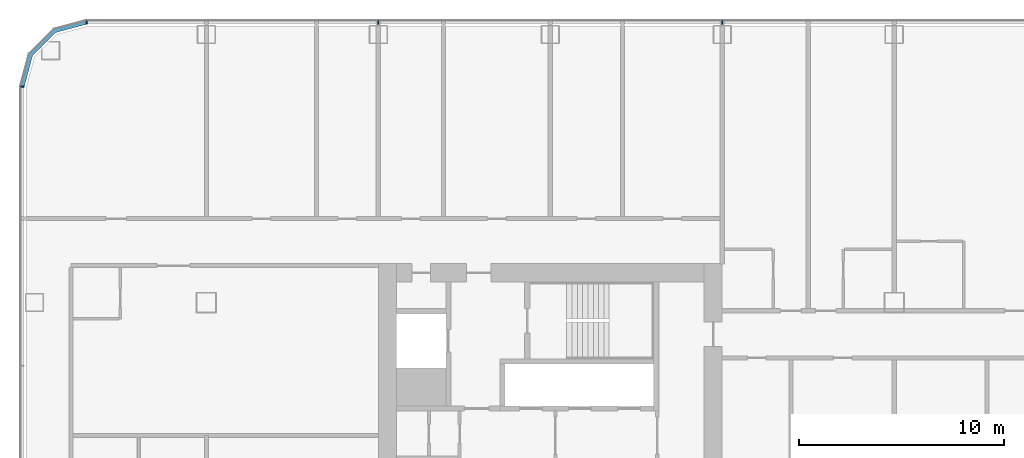
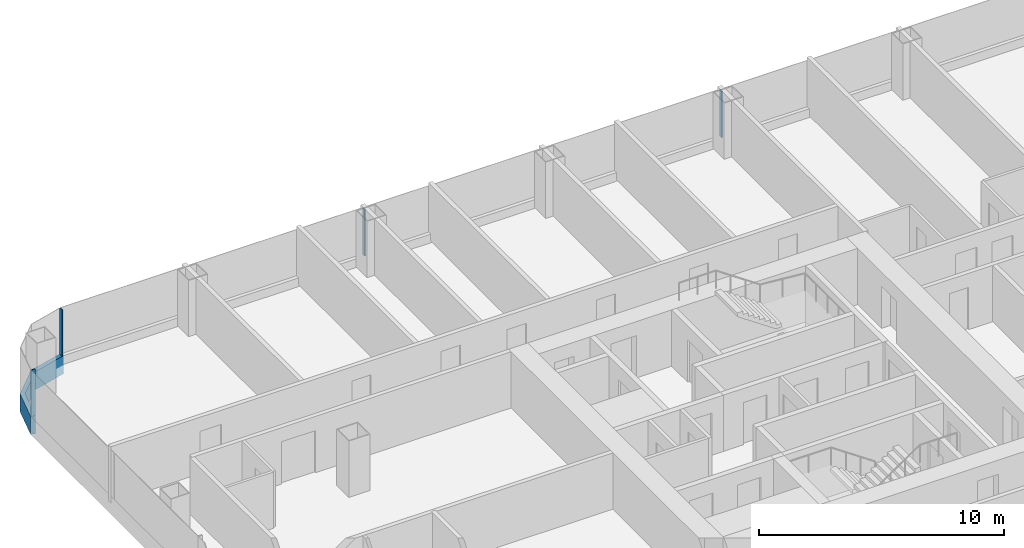
# One storey, part 6 of 29: 5 members, 3 elements without a shape of their own.
"""IFC4 building model written with IfcOpenShell, lengths in metres."""

import ifcopenshell
import ifcopenshell.guid

model = None  # the IFC model being written
_history = None  # IfcOwnerHistory: only IFC2X3 demands one
_inside = {}  # id of a spatial element -> (the spatial element, [elements in it])
_under = {}  # id of a project, library or spatial element -> (it, [spatial elements below it])
_declared = {}  # id of a project -> (the project, [libraries it declares])
_typed = {}  # id of a type object -> (the type object, [elements of that type])
_made_of = {}  # id of a material, layer set ... -> (it, [elements and type objects made of it])


def new_model(schema):
    """Start an empty IFC model of exactly this schema.

    Asked for "IFC4X3", IfcOpenShell would pick the latest addendum, in which some entities
    have other attributes; the version numbers below select the first issue.
    IFC2X3 requires an IfcOwnerHistory on every rooted entity: one is made here for all.
    """
    global model, _history
    if schema == "IFC4X3":
        model = ifcopenshell.file(schema_version=(4, 3, 0, 0))
    else:
        model = ifcopenshell.file(schema=schema)
    _inside.clear()
    _under.clear()
    _declared.clear()
    _typed.clear()
    _made_of.clear()
    _history = None
    if model.schema == "IFC2X3":
        org = make("IfcOrganization", Name="unknown")
        user = make(
            "IfcPersonAndOrganization",
            ThePerson=make("IfcPerson", FamilyName="unknown"),
            TheOrganization=org,
        )
        app = make(
            "IfcApplication",
            ApplicationDeveloper=org,
            Version="unknown",
            ApplicationFullName="unknown",
            ApplicationIdentifier="unknown",
        )
        _history = make(
            "IfcOwnerHistory",
            OwningUser=user,
            OwningApplication=app,
            ChangeAction="ADDED",
            CreationDate=0,
        )
    return model


def make(cls, **values):
    """One entity of the class cls with the attributes given. An attribute that is None is left unset."""
    return model.create_entity(
        cls, **{name: value for name, value in values.items() if value is not None}
    )


def rooted(cls, **values):
    """An entity with a GlobalId (a new one), such as an element, a storey or a relation."""
    return make(cls, GlobalId=ifcopenshell.guid.new(), OwnerHistory=_history, **values)


def si_unit(unit_type, name, prefix=None):
    """IfcSIUnit, for example si_unit("LENGTHUNIT", "METRE", prefix="MILLI")."""
    return make("IfcSIUnit", UnitType=unit_type, Prefix=prefix, Name=name)


def assignment(units):
    """IfcUnitAssignment: the units of a project."""
    return None if units is None else make("IfcUnitAssignment", Units=units)


def point(xyz):
    """IfcCartesianPoint."""
    return None if xyz is None else make("IfcCartesianPoint", Coordinates=xyz)


def direction(xyz):
    """IfcDirection."""
    return None if xyz is None else make("IfcDirection", DirectionRatios=xyz)


def frame(location, z_axis=None, x_axis=None):
    """IfcAxis2Placement3D, a coordinate frame: its origin and axes. An axis left out is left unset."""
    return make(
        "IfcAxis2Placement3D",
        Location=point(location),
        Axis=direction(z_axis),
        RefDirection=direction(x_axis),
    )


def frame_2d(location, x_axis=None):
    """IfcAxis2Placement2D, a coordinate frame in the plane: its origin and x axis."""
    return make(
        "IfcAxis2Placement2D", Location=point(location), RefDirection=direction(x_axis)
    )


def origin():
    """The frame at (0, 0, 0) with its axes left unset."""
    return frame((0.0, 0.0, 0.0))


def origin_2d():
    """The frame at (0, 0) in the plane with its x axis left unset."""
    return frame_2d((0.0, 0.0))


def place(relative_to, where):
    """IfcLocalPlacement: puts the frame where relative to a parent placement (None: the world)."""
    return make(
        "IfcLocalPlacement", PlacementRelTo=relative_to, RelativePlacement=where
    )


def context(
    kind, dimensions, precision=None, world=None, true_north=None, identifier=None
):
    """IfcGeometricRepresentationContext, for example the 3D "Model" context."""
    return make(
        "IfcGeometricRepresentationContext",
        ContextIdentifier=identifier,
        ContextType=kind,
        CoordinateSpaceDimension=dimensions,
        Precision=precision,
        WorldCoordinateSystem=world,
        TrueNorth=true_north,
    )


def subcontext(parent, identifier, kind, view, scale=None):
    """IfcGeometricRepresentationSubContext, for example "Body" below "Model"."""
    return make(
        "IfcGeometricRepresentationSubContext",
        ContextIdentifier=identifier,
        ContextType=kind,
        ParentContext=parent,
        TargetScale=scale,
        TargetView=view,
    )


def project(units=None, contexts=None):
    """IfcProject with its units and contexts."""
    return rooted(
        "IfcProject",
        Name="project",
        RepresentationContexts=contexts,
        UnitsInContext=assignment(units),
    )


def spatial(cls, under=None, at=None, **own):
    """A site, building, storey or space (cls), placed at a placement, below another one or the project."""
    s = rooted(cls, ObjectPlacement=at, **own)
    if under is not None:
        _under.setdefault(under.id(), (under, []))[1].append(s)
    return s


def polyline(points):
    """IfcPolyline through the points."""
    return make("IfcPolyline", Points=[point(p) for p in points])


def profile(cls, at=None, kind="AREA", **sizes):
    """A parametric profile (cls). Its sizes go by their IFC names, for example OverallWidth=200.0."""
    return make(cls, ProfileType=kind, Position=at, **sizes)


def rectangle(**sizes):
    """IfcRectangleProfileDef."""
    return profile("IfcRectangleProfileDef", **sizes)


def outline(outer, holes=None, kind="AREA"):
    """IfcArbitraryClosedProfileDef: a profile drawn as a closed curve; with holes, ...WithVoids."""
    if holes is None:
        return make("IfcArbitraryClosedProfileDef", ProfileType=kind, OuterCurve=outer)
    return make(
        "IfcArbitraryProfileDefWithVoids",
        ProfileType=kind,
        OuterCurve=outer,
        InnerCurves=holes,
    )


def extrude(swept, where, along, depth):
    """IfcExtrudedAreaSolid: the profile swept, set in the frame where, extruded along a direction by depth."""
    return make(
        "IfcExtrudedAreaSolid",
        SweptArea=swept,
        Position=where,
        ExtrudedDirection=direction(along),
        Depth=depth,
    )


def shape(context_of_items, identifier, shape_type, items):
    """IfcShapeRepresentation: the items that make up one representation, for example the "Body"."""
    return make(
        "IfcShapeRepresentation",
        ContextOfItems=context_of_items,
        RepresentationIdentifier=identifier,
        RepresentationType=shape_type,
        Items=items,
    )


def material(Name=None, Category=None):
    """IfcMaterial."""
    return make("IfcMaterial", Name=Name, Category=Category)


def layer(
    of_material, thickness, ventilated=None, Name=None, Category=None, Priority=None
):
    """IfcMaterialLayer: one layer of a wall or slab, of a material (None: an air gap)."""
    return make(
        "IfcMaterialLayer",
        Material=of_material,
        LayerThickness=thickness,
        IsVentilated=ventilated,
        Name=Name,
        Category=Category,
        Priority=Priority,
    )


def layer_set(layers, Name=None):
    """IfcMaterialLayerSet."""
    return make("IfcMaterialLayerSet", MaterialLayers=layers, LayerSetName=Name)


def material_profile(
    of_material, cross_section, Name=None, Category=None, Priority=None
):
    """IfcMaterialProfile: a cross section and its material."""
    return make(
        "IfcMaterialProfile",
        Name=Name,
        Material=of_material,
        Profile=cross_section,
        Priority=Priority,
        Category=Category,
    )


def profile_set(profiles, Name=None, composite=None):
    """IfcMaterialProfileSet."""
    return make(
        "IfcMaterialProfileSet",
        Name=Name,
        MaterialProfiles=profiles,
        CompositeProfile=composite,
    )


def made_of(thing, what):
    """Note that an element or type object is made of a material, layer set ...; save() writes the relation."""
    if what is not None:
        _made_of.setdefault(what.id(), (what, []))[1].append(thing)
    return thing


def type_object(cls, material=None, **own):
    """A type object (cls), such as IfcWallType, which elements share."""
    return made_of(rooted(cls, **own), material)


def element(
    cls,
    number,
    at=None,
    inside=None,
    cuts=None,
    type_object=None,
    material=None,
    context=None,
    identifier="Body",
    shape_type=None,
    held_by="IfcProductDefinitionShape",
    body=None,
    shapes=None,
    **own,
):
    """One element of the class cls, such as IfcWall. Its Tag is "e" and its number.

    at: its placement. inside: the storey or other place that contains it. cuts: it is an
    opening in that element (IfcRelVoidsElement). A single representation is given by context,
    identifier, shape_type and body (its items); several are given by shapes. held_by: the class
    of the entity that holds the representations. save() writes the other relations.
    """
    e = rooted(cls, Tag="e%d" % number, ObjectPlacement=at, **own)
    if body is not None:
        shapes = [shape(context, identifier, shape_type, body)]
    if shapes is not None:
        e.Representation = make(held_by, Representations=shapes)
    if inside is not None:
        _inside.setdefault(inside.id(), (inside, []))[1].append(e)
    if cuts is not None:
        rooted(
            "IfcRelVoidsElement", RelatingBuildingElement=cuts, RelatedOpeningElement=e
        )
    if type_object is not None:
        _typed.setdefault(type_object.id(), (type_object, []))[1].append(e)
    return made_of(e, material)


def aggregate(whole, parts):
    """IfcRelAggregates: a whole, such as a stair, and the parts it consists of."""
    return rooted("IfcRelAggregates", RelatingObject=whole, RelatedObjects=parts)


def save(model, path):
    """Write the relations noted so far, then the file.

    IfcRelAggregates (storeys below a building ...), IfcRelContainedInSpatialStructure (elements
    in a storey), IfcRelDefinesByType, IfcRelAssociatesMaterial and IfcRelDeclares: one each for
    every whole, place, type object, material and project.
    """
    for whole, parts in _under.values():
        aggregate(whole, parts)
    for where, things in _inside.values():
        rooted(
            "IfcRelContainedInSpatialStructure",
            RelatedElements=things,
            RelatingStructure=where,
        )
    for kind, things in _typed.values():
        rooted("IfcRelDefinesByType", RelatedObjects=things, RelatingType=kind)
    for what, things in _made_of.values():
        rooted("IfcRelAssociatesMaterial", RelatedObjects=things, RelatingMaterial=what)
    for by, libraries in _declared.values():
        rooted("IfcRelDeclares", RelatingContext=by, RelatedDefinitions=libraries)
    model.write(path)


model = new_model("IFC4")

# Units and contexts
model_context = context("Model", 3, precision=1e-05, world=origin(), true_north=direction((0.0, 1.0)))
body_context = subcontext(model_context, "Body", "Model", "MODEL_VIEW")
ifc_project = project(units=[si_unit("LENGTHUNIT", "METRE"), si_unit("AREAUNIT", "SQUARE_METRE"), si_unit("VOLUMEUNIT", "CUBIC_METRE"), si_unit("PLANEANGLEUNIT", "RADIAN"), si_unit("MASSUNIT", "GRAM", prefix="KILO")], contexts=[model_context])

# Site, building, storey
site_placement = place(None, origin())
site = spatial("IfcSite", under=ifc_project, at=site_placement, CompositionType="ELEMENT")
building_placement = place(site_placement, origin())
building = spatial("IfcBuilding", under=site, at=building_placement, Name="Hakoniwa Tower and Hamabe Station Hall", CompositionType="ELEMENT")
storey_placement = place(building_placement, frame((0.0, 0.0, 29.39990234375)))
storey = spatial("IfcBuildingStorey", under=building, at=storey_placement, Name="L07", CompositionType="ELEMENT", Elevation=29.39990234375)

# Curtain wall, member
ifc_material_1 = material(Name="Dark low-e laminated glass", Category="glass")
ifc_layer = layer(ifc_material_1, 0.199951171875)
ifc_layer_set = layer_set([ifc_layer], Name="CW-1 UNITISED GUEST")
curtain_wall_type = type_object("IfcCurtainWallType", Name="CW-1 UNITISED GUEST", PredefinedType="NOTDEFINED", material=ifc_layer_set)
curtain_wall_1_placement = place(storey_placement, origin())
curtain_wall_1 = element("IfcCurtainWall", 1, at=curtain_wall_1_placement, inside=storey, type_object=curtain_wall_type, Name="CW-1 curtain wall", PredefinedType="NOTDEFINED")
ifc_material_2 = material(Name="Aluminium 6063-T5 black anodised", Category="aluminium")
ifc_material_profile_1 = material_profile(ifc_material_2, rectangle(XDim=0.199951171875, YDim=0.89990234375, at=origin_2d()), Name="CW SLAB-EDGE BAND 900X200")
ifc_profile_set_1 = profile_set([ifc_material_profile_1], Name="Aluminium 6063-T5 black anodised")
member_type_1 = type_object("IfcMemberType", Name="CW SLAB-EDGE BAND 900X200", PredefinedType="USERDEFINED", material=ifc_profile_set_1)
member_1_placement = place(storey_placement, frame((0.0, 0.0, -0.5498046875)))
member_1 = element("IfcMember", 2, at=member_1_placement, type_object=member_type_1, Name="CW-1 transom", ObjectType="TRANSOM", PredefinedType="USERDEFINED", context=body_context, shape_type="SweptSolid", body=[
    extrude(outline(polyline([(-47.839599609375, 20.300048828125), (-49.455322265625, 19.866943359375), (-50.6669921875, 18.6552734375), (-51.10009765625, 17.03955078125), (-50.90673828125, 16.98779296875), (-50.48779296875, 18.5517578125), (-49.351806640625, 19.687744140625), (-47.787841796875, 20.10693359375), (-47.839599609375, 20.300048828125)])), origin(), (0.0, 0.0, 1.0), 0.89990234375),
])
aggregate(curtain_wall_1, [member_1])

# Curtain wall, members
curtain_wall_2_placement = place(storey_placement, origin())
curtain_wall_2 = element("IfcCurtainWall", 3, at=curtain_wall_2_placement, inside=storey, type_object=curtain_wall_type, Name="CW-1 curtain wall", PredefinedType="NOTDEFINED")
ifc_material_3 = material(Name="Aluminium 6063-T5 black anodised", Category="aluminium")
ifc_material_profile_2 = material_profile(ifc_material_3, rectangle(XDim=0.06005859375, YDim=0.179931640625, at=origin_2d()), Name="CW-1 MULLION 60X180")
ifc_profile_set_2 = profile_set([ifc_material_profile_2], Name="Aluminium 6063-T5 black anodised")
member_type_2 = type_object("IfcMemberType", Name="CW-1 MULLION 60X180", PredefinedType="MULLION", material=ifc_profile_set_2)
member_2_placement = place(storey_placement, frame((-16.800048828125, 20.181884765625, 0.35009765625), z_axis=(0.0, 0.0, 1.0), x_axis=(-1.0, 0.0, 0.0)))
member_2 = element("IfcMember", 4, at=member_2_placement, type_object=member_type_2, Name="CW-1 mullion", PredefinedType="MULLION", context=body_context, shape_type="SweptSolid", body=[
    extrude(rectangle(XDim=0.06005859375, YDim=0.179931640625, at=origin_2d()), origin(), (0.0, 0.0, 1.0), 2.300048828125),
])
member_3_placement = place(storey_placement, frame((-33.60009765625, 20.181884765625, 0.35009765625), z_axis=(0.0, 0.0, 1.0), x_axis=(-1.0, 0.0, 0.0)))
member_3 = element("IfcMember", 5, at=member_3_placement, type_object=member_type_2, Name="CW-1 mullion", PredefinedType="MULLION", context=body_context, shape_type="SweptSolid", body=[
    extrude(rectangle(XDim=0.06005859375, YDim=0.179931640625, at=origin_2d()), origin(), (0.0, 0.0, 1.0), 2.300048828125),
])
member_4_placement = place(storey_placement, frame((-47.839599609375, 20.181884765625, 0.35009765625), z_axis=(0.0, 0.0, 1.0), x_axis=(-1.0, 0.0, 0.0)))
member_4 = element("IfcMember", 6, at=member_4_placement, type_object=member_type_2, Name="CW-1 mullion", PredefinedType="MULLION", context=body_context, shape_type="SweptSolid", body=[
    extrude(rectangle(XDim=0.06005859375, YDim=0.179931640625, at=origin_2d()), origin(), (0.0, 0.0, 1.0), 2.300048828125),
])
aggregate(curtain_wall_2, [member_2, member_3, member_4])

# Curtain wall, member
curtain_wall_3_placement = place(storey_placement, origin())
curtain_wall_3 = element("IfcCurtainWall", 7, at=curtain_wall_3_placement, inside=storey, type_object=curtain_wall_type, Name="CW-1 curtain wall", PredefinedType="NOTDEFINED")
member_5_placement = place(storey_placement, frame((-50.98193359375, 17.03955078125, 0.35009765625), z_axis=(0.0, 0.0, 1.0), x_axis=(0.0, -1.0, 0.0)))
member_5 = element("IfcMember", 8, at=member_5_placement, type_object=member_type_2, Name="CW-1 mullion", PredefinedType="MULLION", context=body_context, shape_type="SweptSolid", body=[
    extrude(rectangle(XDim=0.06005859375, YDim=0.179931640625, at=origin_2d()), origin(), (0.0, 0.0, 1.0), 2.300048828125),
])
aggregate(curtain_wall_3, [member_5])

save(model, "model.ifc")
